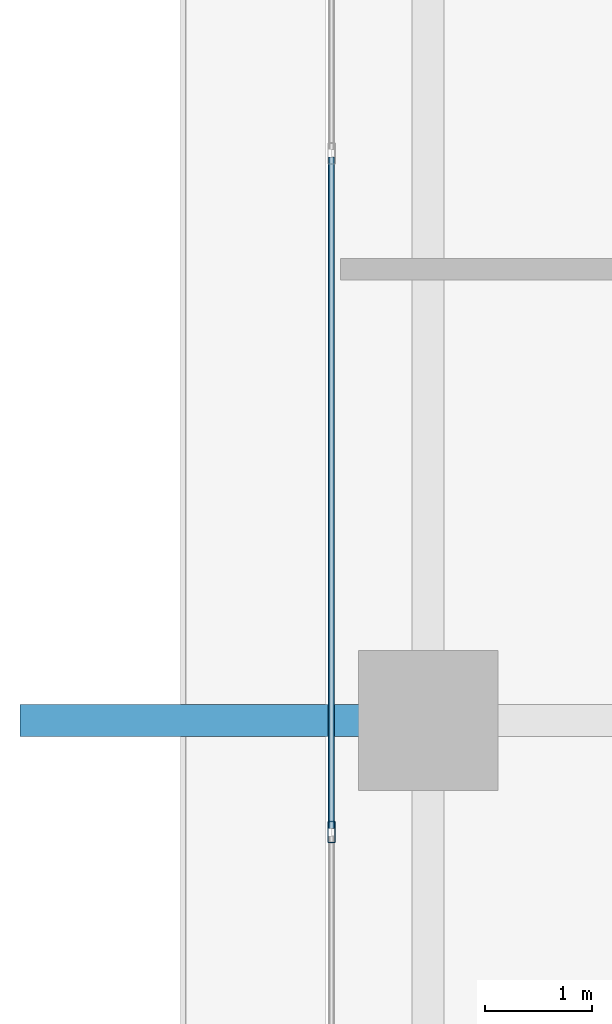
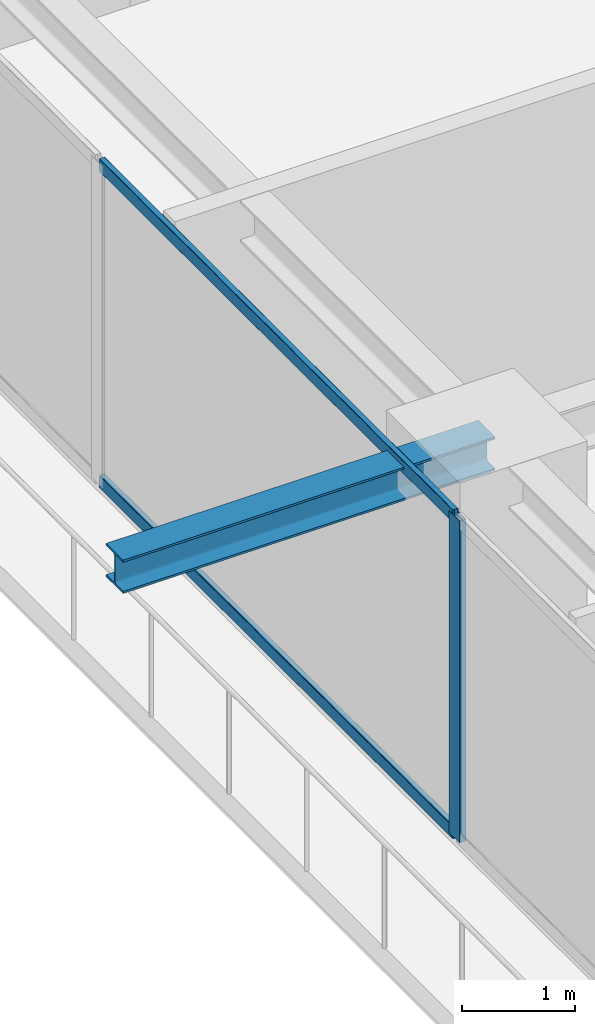
# One storey, part 8 of 34: 3 members, 1 beam, 1 element without a shape of its own.
"""IFC4 building model written with IfcOpenShell, lengths in metres."""

from ifc_helpers import new_model, si_unit, direction, frame, origin, origin_2d, place, context, subcontext, project, spatial, hollow_rectangle, i_section, extrude, source, transform, mapped, material, layer, layer_set, material_profile, profile_set, type_object, element, aggregate, save


model = new_model("IFC4")

# Units and contexts
model_context = context("Model", 3, precision=1e-05, world=origin(), true_north=direction((0.0, 1.0)))
body_context = subcontext(model_context, "Body", "Model", "MODEL_VIEW")
ifc_project = project(units=[si_unit("LENGTHUNIT", "METRE"), si_unit("AREAUNIT", "SQUARE_METRE"), si_unit("VOLUMEUNIT", "CUBIC_METRE"), si_unit("PLANEANGLEUNIT", "RADIAN"), si_unit("MASSUNIT", "GRAM", prefix="KILO")], contexts=[model_context])

# Site, building, storey
site_placement = place(None, origin())
site = spatial("IfcSite", under=ifc_project, at=site_placement, CompositionType="ELEMENT")
building_placement = place(site_placement, origin())
building = spatial("IfcBuilding", under=site, at=building_placement, Name="Serunith Strait Residences", CompositionType="ELEMENT")
storey_placement = place(building_placement, frame((0.0, 0.0, 135.14990234375)))
storey = spatial("IfcBuildingStorey", under=building, at=storey_placement, Name="L33", CompositionType="ELEMENT", Elevation=135.14990234375)

# Beam
ifc_material_1 = material(Name="Steel S355J2", Category="steel")
ifc_material_profile_1 = material_profile(ifc_material_1, i_section(OverallWidth=0.300048828125, OverallDepth=0.360107421875, WebThickness=0.012451171875, FlangeThickness=0.0224609375, FilletRadius=0.027099609375, at=origin_2d()), Name="HEB 360")
ifc_profile_set_1 = profile_set([ifc_material_profile_1], Name="Steel S355J2")
beam_type = type_object("IfcBeamType", Name="BM-HEB360", PredefinedType="BEAM", material=ifc_profile_set_1)
shared_shape_1 = source(origin(), body_context, "Body", "SweptSolid", [
    extrude(i_section(OverallWidth=0.300048828125, OverallDepth=0.360107421875, WebThickness=0.012451171875, FlangeThickness=0.0224609375, FilletRadius=0.027099609375, at=origin_2d()), origin(), (0.0, 0.0, 1.0), 3.800048828125),
])
beam_placement = place(storey_placement, frame((8.699951171875, 29.39990234375, 3.277099609375), z_axis=(-1.0, 0.0, 0.0), x_axis=(0.0, -1.0, 0.0)))
element("IfcBeam", 1, at=beam_placement, inside=storey, type_object=beam_type, Name="L34 Cantilevered Balcony Rib TC-W3", PredefinedType="BEAM", context=body_context, shape_type="MappedRepresentation", body=[
    mapped(shared_shape_1, transform((0.0, 0.0, 0.0), scale=1.0)),
])

# Curtain wall, members
ifc_material_2 = material(Name="Pale-Champagne Anodised Aluminium", Category="aluminium")
ifc_layer = layer(ifc_material_2, 0.199951171875, Name="Pale-Champagne Anodised Aluminium")
ifc_layer_set = layer_set([ifc_layer], Name="Pale-Champagne Anodised Aluminium")
curtain_wall_type = type_object("IfcCurtainWallType", Name="CW-SYS2", PredefinedType="NOTDEFINED", material=ifc_layer_set)
curtain_wall_placement = place(storey_placement, origin())
curtain_wall = element("IfcCurtainWall", 2, at=curtain_wall_placement, inside=storey, type_object=curtain_wall_type, Name="L33 W Unitised Fritted Curtain Wall", PredefinedType="NOTDEFINED")
ifc_material_profile_2 = material_profile(ifc_material_2, hollow_rectangle(XDim=0.070068359375, YDim=0.199951171875, WallThickness=0.00390625, InnerFilletRadius=0.006103515625, OuterFilletRadius=0.010009765625, at=origin_2d()), Name="ALU 200x70x4")
ifc_profile_set_2 = profile_set([ifc_material_profile_2], Name="Pale-Champagne Anodised Aluminium")
member_type_1 = type_object("IfcMemberType", Name="CW-SYS2-MULL", PredefinedType="MULLION", material=ifc_profile_set_2)
shared_shape_2 = source(origin(), body_context, "Body", "SweptSolid", [
    extrude(hollow_rectangle(XDim=0.070068359375, YDim=0.199951171875, WallThickness=0.00390625, InnerFilletRadius=0.006103515625, OuterFilletRadius=0.010009765625, at=origin_2d()), origin(), (0.0, 0.0, 1.0), 3.47509765625),
])
member_1_placement = place(storey_placement, frame((7.800048828125, 28.360107421875, 0.0), z_axis=(0.0, 0.0, 1.0), x_axis=(1.0, 0.0, 0.0)))
member_1 = element("IfcMember", 3, at=member_1_placement, type_object=member_type_1, Name="CW-2 mullion 3", PredefinedType="MULLION", context=body_context, shape_type="MappedRepresentation", body=[
    mapped(shared_shape_2, transform((0.0, 0.0, 0.0), scale=1.0)),
])
ifc_material_profile_3 = material_profile(ifc_material_2, hollow_rectangle(XDim=0.06005859375, YDim=0.139892578125, WallThickness=0.00341796875, InnerFilletRadius=0.00537109375, OuterFilletRadius=0.0087890625, at=origin_2d()), Name="ALU 140x60x3.5")
ifc_profile_set_3 = profile_set([ifc_material_profile_3], Name="Pale-Champagne Anodised Aluminium")
member_type_2 = type_object("IfcMemberType", Name="CW-SYS2-TRAN", PredefinedType="USERDEFINED", material=ifc_profile_set_3)
shared_shape_3 = source(origin(), body_context, "Body", "SweptSolid", [
    extrude(hollow_rectangle(XDim=0.06005859375, YDim=0.139892578125, WallThickness=0.00341796875, InnerFilletRadius=0.00537109375, OuterFilletRadius=0.0087890625, at=origin_2d()), origin(), (0.0, 0.0, 1.0), 6.25),
])
member_2_placement = place(storey_placement, frame((7.800048828125, 34.64501953125, 0.030029296875), z_axis=(0.0, -1.0, 0.0), x_axis=(1.0, 0.0, 0.0)))
member_2 = element("IfcMember", 4, at=member_2_placement, type_object=member_type_2, Name="CW-2 transom 2.1", ObjectType="TRANSOM", PredefinedType="USERDEFINED", context=body_context, shape_type="MappedRepresentation", body=[
    mapped(shared_shape_3, transform((0.0, 0.0, 0.0), scale=1.0)),
])
member_3_placement = place(storey_placement, frame((7.800048828125, 34.64501953125, 3.445068359375), z_axis=(0.0, -1.0, 0.0), x_axis=(1.0, 0.0, 0.0)))
member_3 = element("IfcMember", 5, at=member_3_placement, type_object=member_type_2, Name="CW-2 transom 2.2", ObjectType="TRANSOM", PredefinedType="USERDEFINED", context=body_context, shape_type="MappedRepresentation", body=[
    mapped(shared_shape_3, transform((0.0, 0.0, 0.0), scale=1.0)),
])
aggregate(curtain_wall, [member_1, member_2, member_3])

save(model, "model.ifc")
